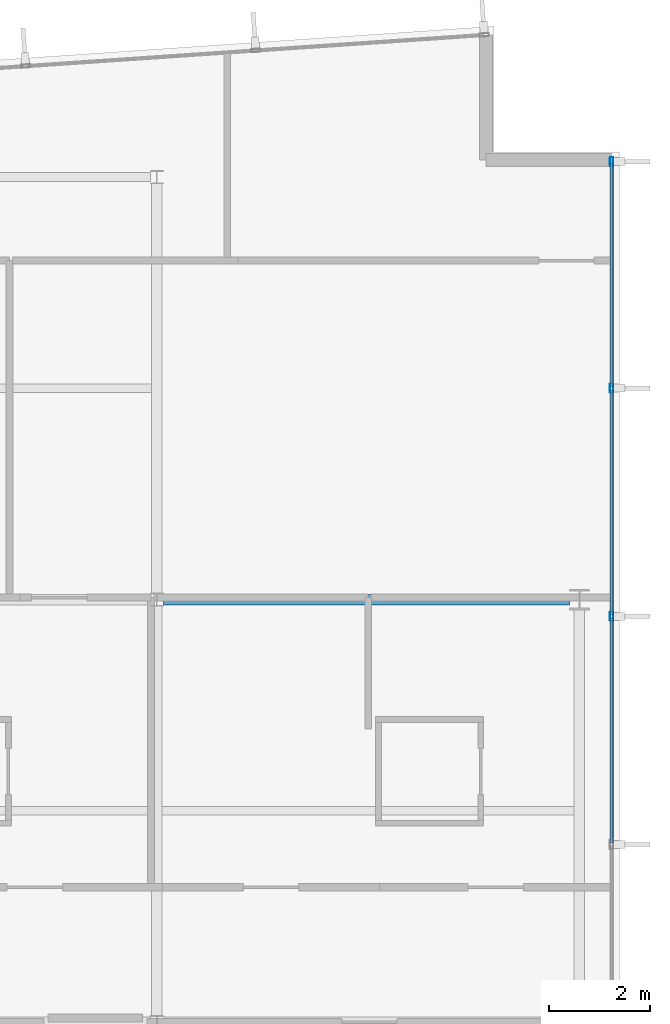
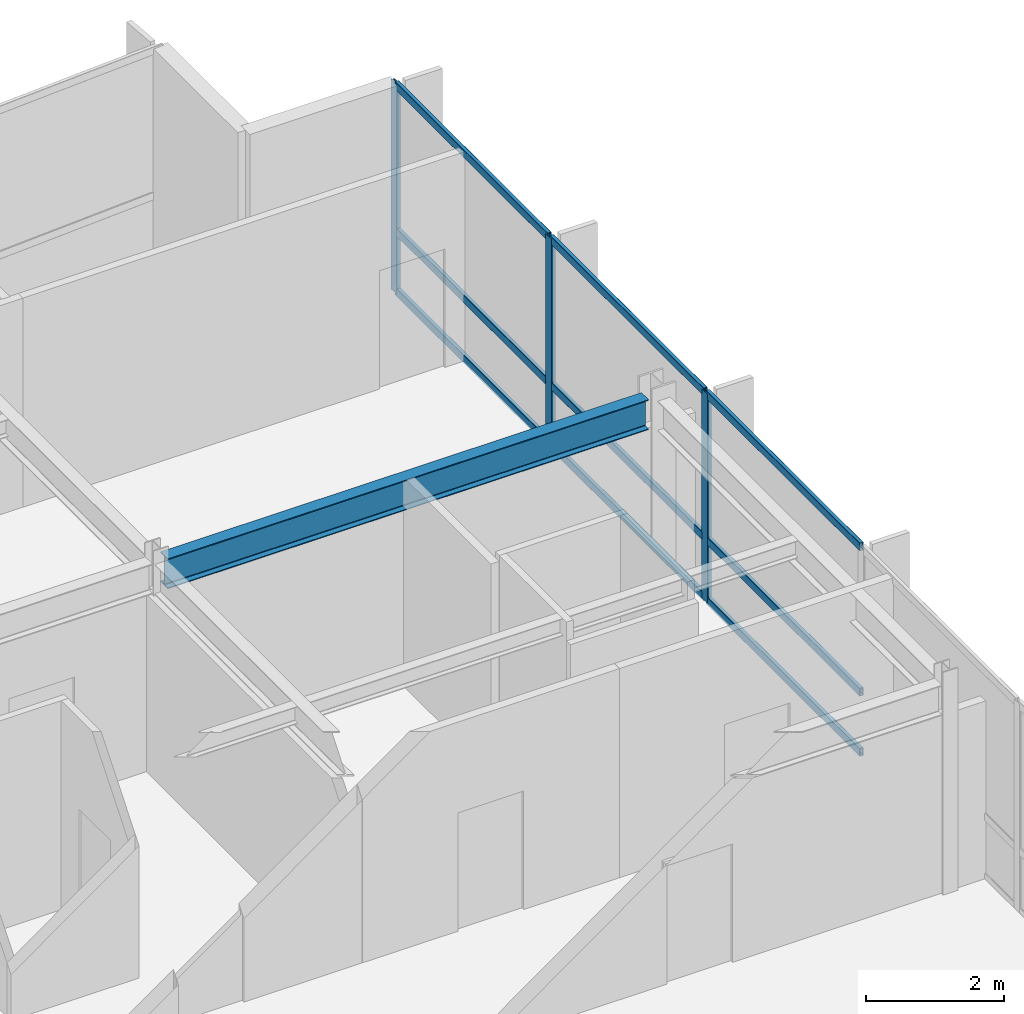
# One storey, part 7 of 16: 12 members, 1 beam, 1 element without a shape of its own.
"""IFC4 building model written with IfcOpenShell, lengths in metres."""

import ifcopenshell
import ifcopenshell.guid

model = None  # the IFC model being written
_history = None  # IfcOwnerHistory: only IFC2X3 demands one
_inside = {}  # id of a spatial element -> (the spatial element, [elements in it])
_under = {}  # id of a project, library or spatial element -> (it, [spatial elements below it])
_declared = {}  # id of a project -> (the project, [libraries it declares])
_typed = {}  # id of a type object -> (the type object, [elements of that type])
_made_of = {}  # id of a material, layer set ... -> (it, [elements and type objects made of it])


def new_model(schema):
    """Start an empty IFC model of exactly this schema.

    Asked for "IFC4X3", IfcOpenShell would pick the latest addendum, in which some entities
    have other attributes; the version numbers below select the first issue.
    IFC2X3 requires an IfcOwnerHistory on every rooted entity: one is made here for all.
    """
    global model, _history
    if schema == "IFC4X3":
        model = ifcopenshell.file(schema_version=(4, 3, 0, 0))
    else:
        model = ifcopenshell.file(schema=schema)
    _inside.clear()
    _under.clear()
    _declared.clear()
    _typed.clear()
    _made_of.clear()
    _history = None
    if model.schema == "IFC2X3":
        org = make("IfcOrganization", Name="unknown")
        user = make(
            "IfcPersonAndOrganization",
            ThePerson=make("IfcPerson", FamilyName="unknown"),
            TheOrganization=org,
        )
        app = make(
            "IfcApplication",
            ApplicationDeveloper=org,
            Version="unknown",
            ApplicationFullName="unknown",
            ApplicationIdentifier="unknown",
        )
        _history = make(
            "IfcOwnerHistory",
            OwningUser=user,
            OwningApplication=app,
            ChangeAction="ADDED",
            CreationDate=0,
        )
    return model


def make(cls, **values):
    """One entity of the class cls with the attributes given. An attribute that is None is left unset."""
    return model.create_entity(
        cls, **{name: value for name, value in values.items() if value is not None}
    )


def rooted(cls, **values):
    """An entity with a GlobalId (a new one), such as an element, a storey or a relation."""
    return make(cls, GlobalId=ifcopenshell.guid.new(), OwnerHistory=_history, **values)


def si_unit(unit_type, name, prefix=None):
    """IfcSIUnit, for example si_unit("LENGTHUNIT", "METRE", prefix="MILLI")."""
    return make("IfcSIUnit", UnitType=unit_type, Prefix=prefix, Name=name)


def assignment(units):
    """IfcUnitAssignment: the units of a project."""
    return None if units is None else make("IfcUnitAssignment", Units=units)


def point(xyz):
    """IfcCartesianPoint."""
    return None if xyz is None else make("IfcCartesianPoint", Coordinates=xyz)


def direction(xyz):
    """IfcDirection."""
    return None if xyz is None else make("IfcDirection", DirectionRatios=xyz)


def frame(location, z_axis=None, x_axis=None):
    """IfcAxis2Placement3D, a coordinate frame: its origin and axes. An axis left out is left unset."""
    return make(
        "IfcAxis2Placement3D",
        Location=point(location),
        Axis=direction(z_axis),
        RefDirection=direction(x_axis),
    )


def frame_2d(location, x_axis=None):
    """IfcAxis2Placement2D, a coordinate frame in the plane: its origin and x axis."""
    return make(
        "IfcAxis2Placement2D", Location=point(location), RefDirection=direction(x_axis)
    )


def origin():
    """The frame at (0, 0, 0) with its axes left unset."""
    return frame((0.0, 0.0, 0.0))


def origin_2d():
    """The frame at (0, 0) in the plane with its x axis left unset."""
    return frame_2d((0.0, 0.0))


def place(relative_to, where):
    """IfcLocalPlacement: puts the frame where relative to a parent placement (None: the world)."""
    return make(
        "IfcLocalPlacement", PlacementRelTo=relative_to, RelativePlacement=where
    )


def context(
    kind, dimensions, precision=None, world=None, true_north=None, identifier=None
):
    """IfcGeometricRepresentationContext, for example the 3D "Model" context."""
    return make(
        "IfcGeometricRepresentationContext",
        ContextIdentifier=identifier,
        ContextType=kind,
        CoordinateSpaceDimension=dimensions,
        Precision=precision,
        WorldCoordinateSystem=world,
        TrueNorth=true_north,
    )


def subcontext(parent, identifier, kind, view, scale=None):
    """IfcGeometricRepresentationSubContext, for example "Body" below "Model"."""
    return make(
        "IfcGeometricRepresentationSubContext",
        ContextIdentifier=identifier,
        ContextType=kind,
        ParentContext=parent,
        TargetScale=scale,
        TargetView=view,
    )


def project(units=None, contexts=None):
    """IfcProject with its units and contexts."""
    return rooted(
        "IfcProject",
        Name="project",
        RepresentationContexts=contexts,
        UnitsInContext=assignment(units),
    )


def spatial(cls, under=None, at=None, **own):
    """A site, building, storey or space (cls), placed at a placement, below another one or the project."""
    s = rooted(cls, ObjectPlacement=at, **own)
    if under is not None:
        _under.setdefault(under.id(), (under, []))[1].append(s)
    return s


def profile(cls, at=None, kind="AREA", **sizes):
    """A parametric profile (cls). Its sizes go by their IFC names, for example OverallWidth=200.0."""
    return make(cls, ProfileType=kind, Position=at, **sizes)


def hollow_rectangle(**sizes):
    """IfcRectangleHollowProfileDef."""
    return profile("IfcRectangleHollowProfileDef", **sizes)


def i_section(**sizes):
    """IfcIShapeProfileDef."""
    return profile("IfcIShapeProfileDef", **sizes)


def extrude(swept, where, along, depth):
    """IfcExtrudedAreaSolid: the profile swept, set in the frame where, extruded along a direction by depth."""
    return make(
        "IfcExtrudedAreaSolid",
        SweptArea=swept,
        Position=where,
        ExtrudedDirection=direction(along),
        Depth=depth,
    )


def shape(context_of_items, identifier, shape_type, items):
    """IfcShapeRepresentation: the items that make up one representation, for example the "Body"."""
    return make(
        "IfcShapeRepresentation",
        ContextOfItems=context_of_items,
        RepresentationIdentifier=identifier,
        RepresentationType=shape_type,
        Items=items,
    )


def material(Name=None, Category=None):
    """IfcMaterial."""
    return make("IfcMaterial", Name=Name, Category=Category)


def layer(
    of_material, thickness, ventilated=None, Name=None, Category=None, Priority=None
):
    """IfcMaterialLayer: one layer of a wall or slab, of a material (None: an air gap)."""
    return make(
        "IfcMaterialLayer",
        Material=of_material,
        LayerThickness=thickness,
        IsVentilated=ventilated,
        Name=Name,
        Category=Category,
        Priority=Priority,
    )


def layer_set(layers, Name=None):
    """IfcMaterialLayerSet."""
    return make("IfcMaterialLayerSet", MaterialLayers=layers, LayerSetName=Name)


def material_profile(
    of_material, cross_section, Name=None, Category=None, Priority=None
):
    """IfcMaterialProfile: a cross section and its material."""
    return make(
        "IfcMaterialProfile",
        Name=Name,
        Material=of_material,
        Profile=cross_section,
        Priority=Priority,
        Category=Category,
    )


def profile_set(profiles, Name=None, composite=None):
    """IfcMaterialProfileSet."""
    return make(
        "IfcMaterialProfileSet",
        Name=Name,
        MaterialProfiles=profiles,
        CompositeProfile=composite,
    )


def made_of(thing, what):
    """Note that an element or type object is made of a material, layer set ...; save() writes the relation."""
    if what is not None:
        _made_of.setdefault(what.id(), (what, []))[1].append(thing)
    return thing


def type_object(cls, material=None, **own):
    """A type object (cls), such as IfcWallType, which elements share."""
    return made_of(rooted(cls, **own), material)


def element(
    cls,
    number,
    at=None,
    inside=None,
    cuts=None,
    type_object=None,
    material=None,
    context=None,
    identifier="Body",
    shape_type=None,
    held_by="IfcProductDefinitionShape",
    body=None,
    shapes=None,
    **own,
):
    """One element of the class cls, such as IfcWall. Its Tag is "e" and its number.

    at: its placement. inside: the storey or other place that contains it. cuts: it is an
    opening in that element (IfcRelVoidsElement). A single representation is given by context,
    identifier, shape_type and body (its items); several are given by shapes. held_by: the class
    of the entity that holds the representations. save() writes the other relations.
    """
    e = rooted(cls, Tag="e%d" % number, ObjectPlacement=at, **own)
    if body is not None:
        shapes = [shape(context, identifier, shape_type, body)]
    if shapes is not None:
        e.Representation = make(held_by, Representations=shapes)
    if inside is not None:
        _inside.setdefault(inside.id(), (inside, []))[1].append(e)
    if cuts is not None:
        rooted(
            "IfcRelVoidsElement", RelatingBuildingElement=cuts, RelatedOpeningElement=e
        )
    if type_object is not None:
        _typed.setdefault(type_object.id(), (type_object, []))[1].append(e)
    return made_of(e, material)


def aggregate(whole, parts):
    """IfcRelAggregates: a whole, such as a stair, and the parts it consists of."""
    return rooted("IfcRelAggregates", RelatingObject=whole, RelatedObjects=parts)


def save(model, path):
    """Write the relations noted so far, then the file.

    IfcRelAggregates (storeys below a building ...), IfcRelContainedInSpatialStructure (elements
    in a storey), IfcRelDefinesByType, IfcRelAssociatesMaterial and IfcRelDeclares: one each for
    every whole, place, type object, material and project.
    """
    for whole, parts in _under.values():
        aggregate(whole, parts)
    for where, things in _inside.values():
        rooted(
            "IfcRelContainedInSpatialStructure",
            RelatedElements=things,
            RelatingStructure=where,
        )
    for kind, things in _typed.values():
        rooted("IfcRelDefinesByType", RelatedObjects=things, RelatingType=kind)
    for what, things in _made_of.values():
        rooted("IfcRelAssociatesMaterial", RelatedObjects=things, RelatingMaterial=what)
    for by, libraries in _declared.values():
        rooted("IfcRelDeclares", RelatingContext=by, RelatedDefinitions=libraries)
    model.write(path)


model = new_model("IFC4")

# Units and contexts
model_context = context("Model", 3, precision=1e-05, world=origin(), true_north=direction((0.0, 1.0)))
body_context = subcontext(model_context, "Body", "Model", "MODEL_VIEW")
ifc_project = project(units=[si_unit("LENGTHUNIT", "METRE"), si_unit("AREAUNIT", "SQUARE_METRE"), si_unit("VOLUMEUNIT", "CUBIC_METRE"), si_unit("PLANEANGLEUNIT", "RADIAN"), si_unit("MASSUNIT", "GRAM", prefix="KILO")], contexts=[model_context])

# Site, building, storey
site_placement = place(None, origin())
site = spatial("IfcSite", under=ifc_project, at=site_placement, CompositionType="ELEMENT")
building_placement = place(site_placement, origin())
building = spatial("IfcBuilding", under=site, at=building_placement, Name="Varnakote Quay Hospital", CompositionType="ELEMENT")
storey_placement = place(building_placement, frame((0.0, 0.0, 188.14990234375)))
storey = spatial("IfcBuildingStorey", under=building, at=storey_placement, Name="L46", CompositionType="ELEMENT", Elevation=188.14990234375)

# Beam
ifc_material_1 = material(Name="Structural steel AS/NZS 3679.1 Grade 350 L0 (fy 340 MPa)", Category="steel")
ifc_material_profile_1 = material_profile(ifc_material_1, i_section(OverallWidth=0.208984375, OverallDepth=0.532958984375, WebThickness=0.01025390625, FlangeThickness=0.015625, FilletRadius=0.013916015625, at=origin_2d()), Name="530UB92.4")
ifc_profile_set_1 = profile_set([ifc_material_profile_1], Name="Structural steel AS/NZS 3679.1 Grade 350 L0 (fy 340 MPa)")
beam_type = type_object("IfcBeamType", Name="BM-STL-530UB92-4", PredefinedType="BEAM", material=ifc_profile_set_1)
beam_placement = place(storey_placement, frame((42.1279296875, 20.39990234375, 3.443603515625), z_axis=(1.0, 0.0, 0.0), x_axis=(0.0, 1.0, 0.0)))
element("IfcBeam", 1, at=beam_placement, inside=storey, type_object=beam_type, Name="L46 Primary Floor Beam", PredefinedType="BEAM", context=body_context, shape_type="SweptSolid", body=[
    extrude(i_section(OverallWidth=0.208984375, OverallDepth=0.532958984375, WebThickness=0.01025390625, FlangeThickness=0.015625, FilletRadius=0.013916015625, at=origin_2d()), origin(), (0.0, 0.0, 1.0), 8.072021484375),
])

# Curtain wall, members
ifc_material_2 = material(Name="Anodised aluminium 6063-T6 Bronze", Category="aluminium")
ifc_layer = layer(ifc_material_2, 0.219970703125)
ifc_layer_set = layer_set([ifc_layer], Name="Anodised aluminium 6063-T6 Bronze")
curtain_wall_type = type_object("IfcCurtainWallType", Name="CW-SYS-4", PredefinedType="NOTDEFINED", material=ifc_layer_set)
curtain_wall_placement = place(storey_placement, origin())
curtain_wall = element("IfcCurtainWall", 2, at=curtain_wall_placement, inside=storey, type_object=curtain_wall_type, Name="L46 Unitised Bronze Curtain Wall 1", PredefinedType="NOTDEFINED")
ifc_material_3 = material(Name="Anodised aluminium 6063-T6 Bronze", Category="aluminium")
ifc_material_profile_2 = material_profile(ifc_material_3, hollow_rectangle(XDim=0.06494140625, YDim=0.179931640625, WallThickness=0.00390625, InnerFilletRadius=0.00390625, OuterFilletRadius=0.008056640625, at=origin_2d()), Name="CW-MULL-180x65")
ifc_profile_set_2 = profile_set([ifc_material_profile_2], Name="Anodised aluminium 6063-T6 Bronze")
member_type_1 = type_object("IfcMemberType", Name="CW-MULL-180x65", PredefinedType="MULLION", material=ifc_profile_set_2)
member_1_placement = place(storey_placement, frame((51.0400390625, 20.068115234375, 0.0), z_axis=(0.0, 0.0, 1.0), x_axis=(-1.0, 0.0, 0.0)))
member_1 = element("IfcMember", 3, at=member_1_placement, type_object=member_type_1, Name="-4-L46-1 mullion 4", PredefinedType="MULLION", context=body_context, shape_type="SweptSolid", body=[
    extrude(hollow_rectangle(XDim=0.06494140625, YDim=0.179931640625, WallThickness=0.00390625, InnerFilletRadius=0.00390625, OuterFilletRadius=0.008056640625, at=origin_2d()), origin(), (0.0, 0.0, 1.0), 3.710205078125),
])
member_2_placement = place(storey_placement, frame((51.0400390625, 24.60400390625, 0.0), z_axis=(0.0, 0.0, 1.0), x_axis=(-1.0, 0.0, 0.0)))
member_2 = element("IfcMember", 4, at=member_2_placement, type_object=member_type_1, Name="-4-L46-1 mullion 5", PredefinedType="MULLION", context=body_context, shape_type="SweptSolid", body=[
    extrude(hollow_rectangle(XDim=0.06494140625, YDim=0.179931640625, WallThickness=0.00390625, InnerFilletRadius=0.00390625, OuterFilletRadius=0.008056640625, at=origin_2d()), origin(), (0.0, 0.0, 1.0), 3.710205078125),
])
member_3_placement = place(storey_placement, frame((51.0400390625, 29.107421875, 0.0), z_axis=(0.0, 0.0, 1.0), x_axis=(-1.0, 0.0, 0.0)))
member_3 = element("IfcMember", 5, at=member_3_placement, type_object=member_type_1, Name="-4-L46-1 mullion 6", PredefinedType="MULLION", context=body_context, shape_type="SweptSolid", body=[
    extrude(hollow_rectangle(XDim=0.06494140625, YDim=0.179931640625, WallThickness=0.00390625, InnerFilletRadius=0.00390625, OuterFilletRadius=0.008056640625, at=origin_2d()), origin(), (0.0, 0.0, 1.0), 3.710205078125),
])
ifc_material_4 = material(Name="Anodised aluminium 6063-T6 Bronze", Category="aluminium")
ifc_material_profile_3 = material_profile(ifc_material_4, hollow_rectangle(XDim=0.06494140625, YDim=0.139892578125, WallThickness=0.00390625, InnerFilletRadius=0.00390625, OuterFilletRadius=0.007568359375, at=origin_2d()), Name="CW-TRAN-140x65")
ifc_profile_set_3 = profile_set([ifc_material_profile_3], Name="Anodised aluminium 6063-T6 Bronze")
member_type_2 = type_object("IfcMemberType", Name="CW-TRAN-140x65", PredefinedType="USERDEFINED", material=ifc_profile_set_3)
member_4_placement = place(storey_placement, frame((51.0400390625, 15.564453125, 0.03271484375), z_axis=(0.0, 1.0, 0.0), x_axis=(-1.0, 0.0, 0.0)))
member_4 = element("IfcMember", 6, at=member_4_placement, type_object=member_type_2, Name="-4-L46-1 transom 3.1", ObjectType="TRANSOM", PredefinedType="USERDEFINED", context=body_context, shape_type="SweptSolid", body=[
    extrude(hollow_rectangle(XDim=0.06494140625, YDim=0.139892578125, WallThickness=0.00390625, InnerFilletRadius=0.00390625, OuterFilletRadius=0.007568359375, at=origin_2d()), origin(), (0.0, 0.0, 1.0), 4.470947265625),
])
member_5_placement = place(storey_placement, frame((51.0400390625, 15.564453125, 1.10009765625), z_axis=(0.0, 1.0, 0.0), x_axis=(-1.0, 0.0, 0.0)))
member_5 = element("IfcMember", 7, at=member_5_placement, type_object=member_type_2, Name="-4-L46-1 transom 3.2", ObjectType="TRANSOM", PredefinedType="USERDEFINED", context=body_context, shape_type="SweptSolid", body=[
    extrude(hollow_rectangle(XDim=0.06494140625, YDim=0.139892578125, WallThickness=0.00390625, InnerFilletRadius=0.00390625, OuterFilletRadius=0.007568359375, at=origin_2d()), origin(), (0.0, 0.0, 1.0), 4.470947265625),
])
member_6_placement = place(storey_placement, frame((51.0400390625, 15.564453125, 3.677490234375), z_axis=(0.0, 1.0, 0.0), x_axis=(-1.0, 0.0, 0.0)))
member_6 = element("IfcMember", 8, at=member_6_placement, type_object=member_type_2, Name="-4-L46-1 transom 3.3", ObjectType="TRANSOM", PredefinedType="USERDEFINED", context=body_context, shape_type="SweptSolid", body=[
    extrude(hollow_rectangle(XDim=0.06494140625, YDim=0.139892578125, WallThickness=0.00390625, InnerFilletRadius=0.00390625, OuterFilletRadius=0.007568359375, at=origin_2d()), origin(), (0.0, 0.0, 1.0), 4.470947265625),
])
member_7_placement = place(storey_placement, frame((51.0400390625, 20.1005859375, 0.03271484375), z_axis=(0.0, 1.0, 0.0), x_axis=(-1.0, 0.0, 0.0)))
member_7 = element("IfcMember", 9, at=member_7_placement, type_object=member_type_2, Name="-4-L46-1 transom 4.1", ObjectType="TRANSOM", PredefinedType="USERDEFINED", context=body_context, shape_type="SweptSolid", body=[
    extrude(hollow_rectangle(XDim=0.06494140625, YDim=0.139892578125, WallThickness=0.00390625, InnerFilletRadius=0.00390625, OuterFilletRadius=0.007568359375, at=origin_2d()), origin(), (0.0, 0.0, 1.0), 4.470947265625),
])
member_8_placement = place(storey_placement, frame((51.0400390625, 20.1005859375, 1.10009765625), z_axis=(0.0, 1.0, 0.0), x_axis=(-1.0, 0.0, 0.0)))
member_8 = element("IfcMember", 10, at=member_8_placement, type_object=member_type_2, Name="-4-L46-1 transom 4.2", ObjectType="TRANSOM", PredefinedType="USERDEFINED", context=body_context, shape_type="SweptSolid", body=[
    extrude(hollow_rectangle(XDim=0.06494140625, YDim=0.139892578125, WallThickness=0.00390625, InnerFilletRadius=0.00390625, OuterFilletRadius=0.007568359375, at=origin_2d()), origin(), (0.0, 0.0, 1.0), 4.470947265625),
])
member_9_placement = place(storey_placement, frame((51.0400390625, 20.1005859375, 3.677490234375), z_axis=(0.0, 1.0, 0.0), x_axis=(-1.0, 0.0, 0.0)))
member_9 = element("IfcMember", 11, at=member_9_placement, type_object=member_type_2, Name="-4-L46-1 transom 4.3", ObjectType="TRANSOM", PredefinedType="USERDEFINED", context=body_context, shape_type="SweptSolid", body=[
    extrude(hollow_rectangle(XDim=0.06494140625, YDim=0.139892578125, WallThickness=0.00390625, InnerFilletRadius=0.00390625, OuterFilletRadius=0.007568359375, at=origin_2d()), origin(), (0.0, 0.0, 1.0), 4.470947265625),
])
member_10_placement = place(storey_placement, frame((51.0400390625, 24.636474609375, 0.03271484375), z_axis=(0.0, 1.0, 0.0), x_axis=(-1.0, 0.0, 0.0)))
member_10 = element("IfcMember", 12, at=member_10_placement, type_object=member_type_2, Name="-4-L46-1 transom 5.1", ObjectType="TRANSOM", PredefinedType="USERDEFINED", context=body_context, shape_type="SweptSolid", body=[
    extrude(hollow_rectangle(XDim=0.06494140625, YDim=0.139892578125, WallThickness=0.00390625, InnerFilletRadius=0.00390625, OuterFilletRadius=0.007568359375, at=origin_2d()), origin(), (0.0, 0.0, 1.0), 4.4384765625),
])
member_11_placement = place(storey_placement, frame((51.0400390625, 24.636474609375, 1.10009765625), z_axis=(0.0, 1.0, 0.0), x_axis=(-1.0, 0.0, 0.0)))
member_11 = element("IfcMember", 13, at=member_11_placement, type_object=member_type_2, Name="-4-L46-1 transom 5.2", ObjectType="TRANSOM", PredefinedType="USERDEFINED", context=body_context, shape_type="SweptSolid", body=[
    extrude(hollow_rectangle(XDim=0.06494140625, YDim=0.139892578125, WallThickness=0.00390625, InnerFilletRadius=0.00390625, OuterFilletRadius=0.007568359375, at=origin_2d()), origin(), (0.0, 0.0, 1.0), 4.4384765625),
])
member_12_placement = place(storey_placement, frame((51.0400390625, 24.636474609375, 3.677490234375), z_axis=(0.0, 1.0, 0.0), x_axis=(-1.0, 0.0, 0.0)))
member_12 = element("IfcMember", 14, at=member_12_placement, type_object=member_type_2, Name="-4-L46-1 transom 5.3", ObjectType="TRANSOM", PredefinedType="USERDEFINED", context=body_context, shape_type="SweptSolid", body=[
    extrude(hollow_rectangle(XDim=0.06494140625, YDim=0.139892578125, WallThickness=0.00390625, InnerFilletRadius=0.00390625, OuterFilletRadius=0.007568359375, at=origin_2d()), origin(), (0.0, 0.0, 1.0), 4.4384765625),
])
aggregate(curtain_wall, [member_1, member_2, member_3, member_4, member_5, member_6, member_7, member_8, member_9, member_10, member_11, member_12])

save(model, "model.ifc")
